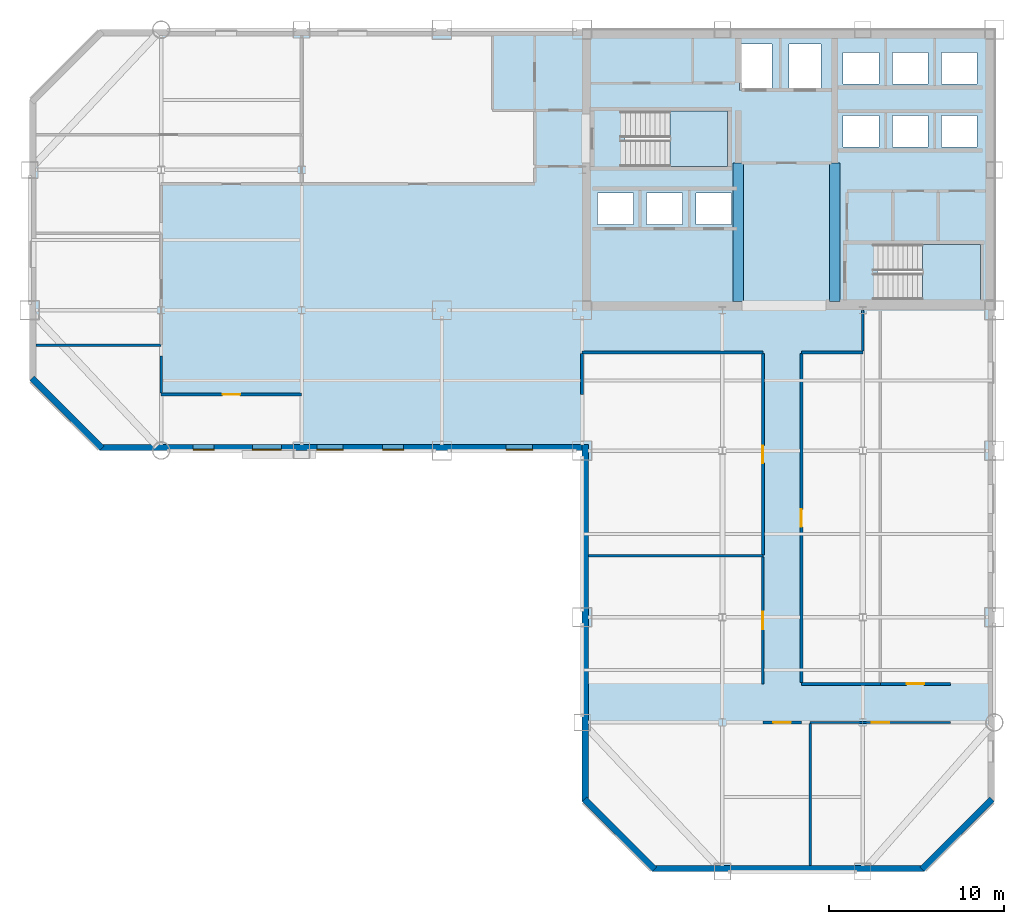
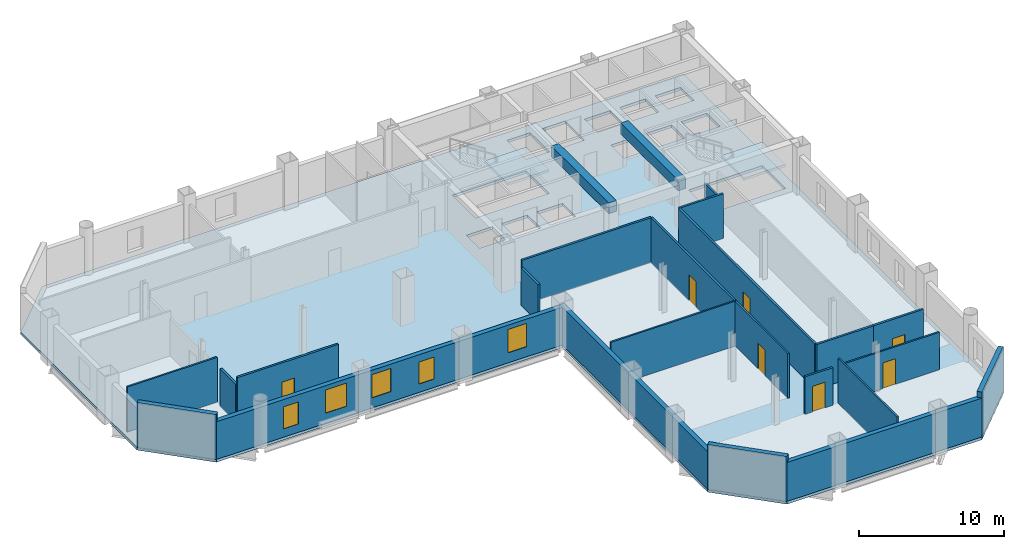
# One storey, part 5 of 10: 22 walls, 7 doors, 5 windows, 3 slabs, 2 beams, 12 openings, 2 elements without a shape of their own.
"""IFC4 building model written with IfcOpenShell, lengths in metres."""

import ifcopenshell
import ifcopenshell.guid

model = None  # the IFC model being written
_history = None  # IfcOwnerHistory: only IFC2X3 demands one
_inside = {}  # id of a spatial element -> (the spatial element, [elements in it])
_under = {}  # id of a project, library or spatial element -> (it, [spatial elements below it])
_declared = {}  # id of a project -> (the project, [libraries it declares])
_typed = {}  # id of a type object -> (the type object, [elements of that type])
_made_of = {}  # id of a material, layer set ... -> (it, [elements and type objects made of it])


def new_model(schema):
    """Start an empty IFC model of exactly this schema.

    Asked for "IFC4X3", IfcOpenShell would pick the latest addendum, in which some entities
    have other attributes; the version numbers below select the first issue.
    IFC2X3 requires an IfcOwnerHistory on every rooted entity: one is made here for all.
    """
    global model, _history
    if schema == "IFC4X3":
        model = ifcopenshell.file(schema_version=(4, 3, 0, 0))
    else:
        model = ifcopenshell.file(schema=schema)
    _inside.clear()
    _under.clear()
    _declared.clear()
    _typed.clear()
    _made_of.clear()
    _history = None
    if model.schema == "IFC2X3":
        org = make("IfcOrganization", Name="unknown")
        user = make(
            "IfcPersonAndOrganization",
            ThePerson=make("IfcPerson", FamilyName="unknown"),
            TheOrganization=org,
        )
        app = make(
            "IfcApplication",
            ApplicationDeveloper=org,
            Version="unknown",
            ApplicationFullName="unknown",
            ApplicationIdentifier="unknown",
        )
        _history = make(
            "IfcOwnerHistory",
            OwningUser=user,
            OwningApplication=app,
            ChangeAction="ADDED",
            CreationDate=0,
        )
    return model


def make(cls, **values):
    """One entity of the class cls with the attributes given. An attribute that is None is left unset."""
    return model.create_entity(
        cls, **{name: value for name, value in values.items() if value is not None}
    )


def rooted(cls, **values):
    """An entity with a GlobalId (a new one), such as an element, a storey or a relation."""
    return make(cls, GlobalId=ifcopenshell.guid.new(), OwnerHistory=_history, **values)


def si_unit(unit_type, name, prefix=None):
    """IfcSIUnit, for example si_unit("LENGTHUNIT", "METRE", prefix="MILLI")."""
    return make("IfcSIUnit", UnitType=unit_type, Prefix=prefix, Name=name)


def assignment(units):
    """IfcUnitAssignment: the units of a project."""
    return None if units is None else make("IfcUnitAssignment", Units=units)


def point(xyz):
    """IfcCartesianPoint."""
    return None if xyz is None else make("IfcCartesianPoint", Coordinates=xyz)


def direction(xyz):
    """IfcDirection."""
    return None if xyz is None else make("IfcDirection", DirectionRatios=xyz)


def frame(location, z_axis=None, x_axis=None):
    """IfcAxis2Placement3D, a coordinate frame: its origin and axes. An axis left out is left unset."""
    return make(
        "IfcAxis2Placement3D",
        Location=point(location),
        Axis=direction(z_axis),
        RefDirection=direction(x_axis),
    )


def frame_2d(location, x_axis=None):
    """IfcAxis2Placement2D, a coordinate frame in the plane: its origin and x axis."""
    return make(
        "IfcAxis2Placement2D", Location=point(location), RefDirection=direction(x_axis)
    )


def origin():
    """The frame at (0, 0, 0) with its axes left unset."""
    return frame((0.0, 0.0, 0.0))


def origin_2d():
    """The frame at (0, 0) in the plane with its x axis left unset."""
    return frame_2d((0.0, 0.0))


def place(relative_to, where):
    """IfcLocalPlacement: puts the frame where relative to a parent placement (None: the world)."""
    return make(
        "IfcLocalPlacement", PlacementRelTo=relative_to, RelativePlacement=where
    )


def context(
    kind, dimensions, precision=None, world=None, true_north=None, identifier=None
):
    """IfcGeometricRepresentationContext, for example the 3D "Model" context."""
    return make(
        "IfcGeometricRepresentationContext",
        ContextIdentifier=identifier,
        ContextType=kind,
        CoordinateSpaceDimension=dimensions,
        Precision=precision,
        WorldCoordinateSystem=world,
        TrueNorth=true_north,
    )


def subcontext(parent, identifier, kind, view, scale=None):
    """IfcGeometricRepresentationSubContext, for example "Body" below "Model"."""
    return make(
        "IfcGeometricRepresentationSubContext",
        ContextIdentifier=identifier,
        ContextType=kind,
        ParentContext=parent,
        TargetScale=scale,
        TargetView=view,
    )


def project(units=None, contexts=None):
    """IfcProject with its units and contexts."""
    return rooted(
        "IfcProject",
        Name="project",
        RepresentationContexts=contexts,
        UnitsInContext=assignment(units),
    )


def spatial(cls, under=None, at=None, **own):
    """A site, building, storey or space (cls), placed at a placement, below another one or the project."""
    s = rooted(cls, ObjectPlacement=at, **own)
    if under is not None:
        _under.setdefault(under.id(), (under, []))[1].append(s)
    return s


def polyline(points):
    """IfcPolyline through the points."""
    return make("IfcPolyline", Points=[point(p) for p in points])


def profile(cls, at=None, kind="AREA", **sizes):
    """A parametric profile (cls). Its sizes go by their IFC names, for example OverallWidth=200.0."""
    return make(cls, ProfileType=kind, Position=at, **sizes)


def rectangle(**sizes):
    """IfcRectangleProfileDef."""
    return profile("IfcRectangleProfileDef", **sizes)


def outline(outer, holes=None, kind="AREA"):
    """IfcArbitraryClosedProfileDef: a profile drawn as a closed curve; with holes, ...WithVoids."""
    if holes is None:
        return make("IfcArbitraryClosedProfileDef", ProfileType=kind, OuterCurve=outer)
    return make(
        "IfcArbitraryProfileDefWithVoids",
        ProfileType=kind,
        OuterCurve=outer,
        InnerCurves=holes,
    )


def extrude(swept, where, along, depth):
    """IfcExtrudedAreaSolid: the profile swept, set in the frame where, extruded along a direction by depth."""
    return make(
        "IfcExtrudedAreaSolid",
        SweptArea=swept,
        Position=where,
        ExtrudedDirection=direction(along),
        Depth=depth,
    )


def shape(context_of_items, identifier, shape_type, items):
    """IfcShapeRepresentation: the items that make up one representation, for example the "Body"."""
    return make(
        "IfcShapeRepresentation",
        ContextOfItems=context_of_items,
        RepresentationIdentifier=identifier,
        RepresentationType=shape_type,
        Items=items,
    )


def material(Name=None, Category=None):
    """IfcMaterial."""
    return make("IfcMaterial", Name=Name, Category=Category)


def layer(
    of_material, thickness, ventilated=None, Name=None, Category=None, Priority=None
):
    """IfcMaterialLayer: one layer of a wall or slab, of a material (None: an air gap)."""
    return make(
        "IfcMaterialLayer",
        Material=of_material,
        LayerThickness=thickness,
        IsVentilated=ventilated,
        Name=Name,
        Category=Category,
        Priority=Priority,
    )


def layer_set(layers, Name=None):
    """IfcMaterialLayerSet."""
    return make("IfcMaterialLayerSet", MaterialLayers=layers, LayerSetName=Name)


def material_profile(
    of_material, cross_section, Name=None, Category=None, Priority=None
):
    """IfcMaterialProfile: a cross section and its material."""
    return make(
        "IfcMaterialProfile",
        Name=Name,
        Material=of_material,
        Profile=cross_section,
        Priority=Priority,
        Category=Category,
    )


def profile_set(profiles, Name=None, composite=None):
    """IfcMaterialProfileSet."""
    return make(
        "IfcMaterialProfileSet",
        Name=Name,
        MaterialProfiles=profiles,
        CompositeProfile=composite,
    )


def made_of(thing, what):
    """Note that an element or type object is made of a material, layer set ...; save() writes the relation."""
    if what is not None:
        _made_of.setdefault(what.id(), (what, []))[1].append(thing)
    return thing


def type_object(cls, material=None, **own):
    """A type object (cls), such as IfcWallType, which elements share."""
    return made_of(rooted(cls, **own), material)


def element(
    cls,
    number,
    at=None,
    inside=None,
    cuts=None,
    type_object=None,
    material=None,
    context=None,
    identifier="Body",
    shape_type=None,
    held_by="IfcProductDefinitionShape",
    body=None,
    shapes=None,
    **own,
):
    """One element of the class cls, such as IfcWall. Its Tag is "e" and its number.

    at: its placement. inside: the storey or other place that contains it. cuts: it is an
    opening in that element (IfcRelVoidsElement). A single representation is given by context,
    identifier, shape_type and body (its items); several are given by shapes. held_by: the class
    of the entity that holds the representations. save() writes the other relations.
    """
    e = rooted(cls, Tag="e%d" % number, ObjectPlacement=at, **own)
    if body is not None:
        shapes = [shape(context, identifier, shape_type, body)]
    if shapes is not None:
        e.Representation = make(held_by, Representations=shapes)
    if inside is not None:
        _inside.setdefault(inside.id(), (inside, []))[1].append(e)
    if cuts is not None:
        rooted(
            "IfcRelVoidsElement", RelatingBuildingElement=cuts, RelatedOpeningElement=e
        )
    if type_object is not None:
        _typed.setdefault(type_object.id(), (type_object, []))[1].append(e)
    return made_of(e, material)


def fill(opening, filler):
    """IfcRelFillsElement: the door or window that sits in an opening."""
    return rooted(
        "IfcRelFillsElement",
        RelatingOpeningElement=opening,
        RelatedBuildingElement=filler,
    )


def aggregate(whole, parts):
    """IfcRelAggregates: a whole, such as a stair, and the parts it consists of."""
    return rooted("IfcRelAggregates", RelatingObject=whole, RelatedObjects=parts)


def save(model, path):
    """Write the relations noted so far, then the file.

    IfcRelAggregates (storeys below a building ...), IfcRelContainedInSpatialStructure (elements
    in a storey), IfcRelDefinesByType, IfcRelAssociatesMaterial and IfcRelDeclares: one each for
    every whole, place, type object, material and project.
    """
    for whole, parts in _under.values():
        aggregate(whole, parts)
    for where, things in _inside.values():
        rooted(
            "IfcRelContainedInSpatialStructure",
            RelatedElements=things,
            RelatingStructure=where,
        )
    for kind, things in _typed.values():
        rooted("IfcRelDefinesByType", RelatedObjects=things, RelatingType=kind)
    for what, things in _made_of.values():
        rooted("IfcRelAssociatesMaterial", RelatedObjects=things, RelatingMaterial=what)
    for by, libraries in _declared.values():
        rooted("IfcRelDeclares", RelatingContext=by, RelatedDefinitions=libraries)
    model.write(path)


model = new_model("IFC4")

# Units and contexts
model_context = context("Model", 3, precision=1e-05, world=origin(), true_north=direction((0.0, 1.0)))
body_context = subcontext(model_context, "Body", "Model", "MODEL_VIEW")
ifc_project = project(units=[si_unit("LENGTHUNIT", "METRE"), si_unit("AREAUNIT", "SQUARE_METRE"), si_unit("VOLUMEUNIT", "CUBIC_METRE"), si_unit("PLANEANGLEUNIT", "RADIAN"), si_unit("MASSUNIT", "GRAM", prefix="KILO")], contexts=[model_context])

# Site, building, storey
site_placement = place(None, origin())
site = spatial("IfcSite", under=ifc_project, at=site_placement, CompositionType="ELEMENT")
building_placement = place(site_placement, origin())
building = spatial("IfcBuilding", under=site, at=building_placement, Name="Qianrong Seaharbour Tower", CompositionType="ELEMENT")
storey_placement = place(building_placement, frame((0.0, 0.0, 159.0)))
storey = spatial("IfcBuildingStorey", under=building, at=storey_placement, Name="L38", CompositionType="ELEMENT", Elevation=159.0)

# Beams
ifc_material_1 = material(Name="Concrete C70/85", Category="concrete")
ifc_material_profile = material_profile(ifc_material_1, rectangle(XDim=0.60009765625, YDim=0.89990234375, at=origin_2d()), Name="RC600x900")
ifc_profile_set = profile_set([ifc_material_profile], Name="Concrete C70/85")
beam_type = type_object("IfcBeamType", Name="BM-LINTEL-900", PredefinedType="LINTEL", material=ifc_profile_set)
for number, where, z_axis, x_axis, name in (
    (1, (49.39990234375, 36.5, 3.31494140625), (0.0, 1.0, 0.0), (-1.0, 0.0, 0.0), "L38 Internal Core Coupling Beam IW1"),
    (2, (54.89990234375, 36.5, 3.31494140625), (0.0, 1.0, 0.0), (-1.0, 0.0, 0.0), "L38 Internal Core Coupling Beam IW2"),
):
    element("IfcBeam", number, at=place(storey_placement, frame(where, z_axis=z_axis, x_axis=x_axis)), inside=storey, type_object=beam_type, Name=name, PredefinedType="LINTEL", context=body_context, shape_type="SweptSolid", body=[
        extrude(rectangle(XDim=0.60009765625, YDim=0.89990234375, at=origin_2d()), origin(), (0.0, 0.0, 1.0), 7.89990234375),
    ])

# Stair, slab
ifc_material_2 = material(Name="Concrete C50/60", Category="concrete")
stair_type = type_object("IfcStairType", Name="STAIR-DOGLEG-1500-R22", PredefinedType="HALF_TURN_STAIR", material=ifc_material_2)
stair_1_placement = place(storey_placement, origin())
stair_1 = element("IfcStair", 3, at=stair_1_placement, inside=storey, type_object=stair_type, Name="L38 Protected Escape Stair ST-1", PredefinedType="HALF_TURN_STAIR")
ifc_layer_1 = layer(ifc_material_2, 0.199951171875)
ifc_layer_set_1 = layer_set([ifc_layer_1], Name="Concrete C50/60")
slab_type_1 = type_object("IfcSlabType", Name="SLAB-STAIR-LANDING-200", PredefinedType="LANDING", material=ifc_layer_set_1)
slab_1_placement = place(storey_placement, frame((0.0, 0.0, 1.800048828125)))
slab_1 = element("IfcSlab", 4, at=slab_1_placement, type_object=slab_type_1, Name="ST-1 landing 1", PredefinedType="LANDING", context=body_context, shape_type="SweptSolid", body=[
    extrude(outline(polyline([(45.5, 44.199951171875), (48.800048828125, 44.199951171875), (48.800048828125, 47.35009765625), (45.5, 47.35009765625), (45.5, 44.199951171875)])), origin(), (0.0, 0.0, 1.0), 0.199951171875),
])
aggregate(stair_1, [slab_1])

stair_2_placement = place(storey_placement, origin())
stair_2 = element("IfcStair", 5, at=stair_2_placement, inside=storey, type_object=stair_type, Name="L38 Protected Escape Stair ST-2", PredefinedType="HALF_TURN_STAIR")
slab_2_placement = place(storey_placement, frame((0.0, 0.0, 1.800048828125)))
slab_2 = element("IfcSlab", 6, at=slab_2_placement, type_object=slab_type_1, Name="ST-2 landing 1", PredefinedType="LANDING", context=body_context, shape_type="SweptSolid", body=[
    extrude(outline(polyline([(59.89990234375, 36.60009765625), (63.199951171875, 36.60009765625), (63.199951171875, 39.75), (59.89990234375, 39.75), (59.89990234375, 36.60009765625)])), origin(), (0.0, 0.0, 1.0), 0.199951171875),
])
aggregate(stair_2, [slab_2])

# Slab
ifc_layer_2 = layer(ifc_material_2, 0.235107421875)
ifc_layer_set_2 = layer_set([ifc_layer_2], Name="Concrete C50/60")
slab_type_2 = type_object("IfcSlabType", Name="SLAB-Z2-235", PredefinedType="FLOOR", material=ifc_layer_set_2)
slab_3_placement = place(storey_placement, frame((0.0, 0.0, -0.235107421875)))
element("IfcSlab", 7, at=slab_3_placement, inside=storey, type_object=slab_type_2, Name="L38 Structural Floor Slab", PredefinedType="FLOOR", context=body_context, shape_type="SweptSolid", body=[
    extrude(outline(polyline([(44.5, 4.0), (60.0, 4.0), (64.0, 8.0), (64.0, 52.0), (13.0, 52.0), (9.0, 48.0), (9.0, 32.0), (13.0, 28.0), (40.5, 28.0), (40.5, 8.0), (44.5, 4.0)]), holes=[polyline([(42.93994140625, 44.199951171875), (42.93994140625, 47.35009765625), (48.800048828125, 47.35009765625), (48.800048828125, 44.199951171875), (42.93994140625, 44.199951171875)]), polyline([(57.340087890625, 36.60009765625), (57.340087890625, 39.75), (63.199951171875, 39.75), (63.199951171875, 36.60009765625), (57.340087890625, 36.60009765625)]), polyline([(49.47998046875, 48.530029296875), (49.47998046875, 51.169921875), (51.320068359375, 51.169921875), (51.320068359375, 48.530029296875), (49.47998046875, 48.530029296875)]), polyline([(52.280029296875, 48.530029296875), (52.280029296875, 51.169921875), (54.1201171875, 51.169921875), (54.1201171875, 48.530029296875), (52.280029296875, 48.530029296875)]), polyline([(41.3798828125, 40.89990234375), (41.3798828125, 42.699951171875), (43.419921875, 42.699951171875), (43.419921875, 40.89990234375), (41.3798828125, 40.89990234375)]), polyline([(44.179931640625, 40.89990234375), (44.179931640625, 42.699951171875), (46.219970703125, 42.699951171875), (46.219970703125, 40.89990234375), (44.179931640625, 40.89990234375)]), polyline([(46.97998046875, 40.89990234375), (46.97998046875, 42.699951171875), (49.02001953125, 42.699951171875), (49.02001953125, 40.89990234375), (46.97998046875, 40.89990234375)]), polyline([(55.3798828125, 45.300048828125), (55.3798828125, 47.10009765625), (57.419921875, 47.10009765625), (57.419921875, 45.300048828125), (55.3798828125, 45.300048828125)]), polyline([(58.179931640625, 45.300048828125), (58.179931640625, 47.10009765625), (60.219970703125, 47.10009765625), (60.219970703125, 45.300048828125), (58.179931640625, 45.300048828125)]), polyline([(60.97998046875, 45.300048828125), (60.97998046875, 47.10009765625), (63.02001953125, 47.10009765625), (63.02001953125, 45.300048828125), (60.97998046875, 45.300048828125)]), polyline([(55.3798828125, 48.89990234375), (55.3798828125, 50.699951171875), (57.419921875, 50.699951171875), (57.419921875, 48.89990234375), (55.3798828125, 48.89990234375)]), polyline([(58.179931640625, 48.89990234375), (58.179931640625, 50.699951171875), (60.219970703125, 50.699951171875), (60.219970703125, 48.89990234375), (58.179931640625, 48.89990234375)]), polyline([(60.97998046875, 48.89990234375), (60.97998046875, 50.699951171875), (63.02001953125, 50.699951171875), (63.02001953125, 48.89990234375), (60.97998046875, 48.89990234375)])]), origin(), (0.0, 0.0, 1.0), 0.235107421875),
])

# Wall, opening, door
ifc_material_3 = material(Name="Fire-rated acoustic gypsum board partition")
ifc_layer_3 = layer(ifc_material_3, 0.1650390625)
ifc_layer_set_3 = layer_set([ifc_layer_3], Name="Fire-rated acoustic gypsum board partition")
wall_type_1 = type_object("IfcWallType", Name="WALL-CORR-PART-165", PredefinedType="PARTITIONING", material=ifc_layer_set_3)
wall_1_placement = place(storey_placement, frame((24.5, 31.199951171875, 0.0), z_axis=(0.0, 0.0, 1.0), x_axis=(-1.0, 0.0, 0.0)))
wall_1 = element("IfcWall", 8, at=wall_1_placement, inside=storey, type_object=wall_type_1, Name="L38 Interior Partition Wall 017", PredefinedType="PARTITIONING", context=body_context, shape_type="SweptSolid", body=[
    extrude(rectangle(XDim=8.0, YDim=0.1650390625, at=frame_2d((4.0, 0.0))), origin(), (0.0, 0.0, 1.0), 3.764892578125),
])
opening_1_placement = place(wall_1_placement, frame((3.5, 0.0, 0.0)))
opening_1 = element("IfcOpeningElement", 9, at=opening_1_placement, cuts=wall_1, Name="Opening DO-01", PredefinedType="OPENING", context=body_context, shape_type="SweptSolid", body=[
    extrude(rectangle(XDim=1.0, YDim=2.14990234375, at=frame_2d((0.5, 1.074951171875))), frame((0.0, 0.092529296875, 0.0), z_axis=(0.0, -1.0, 0.0), x_axis=(1.0, 0.0, 0.0)), (0.0, 0.0, 1.0), 0.18505859375),
])
ifc_material_4 = material(Name="Acoustic timber and galvanized steel fire door assembly", Category="steel")
door_type = type_object("IfcDoorType", Name="DOOR-OFFICE-1000x2150", OperationType="NOTDEFINED", PredefinedType="DOOR", material=ifc_material_4)
door_1_placement = place(opening_1_placement, origin())
door_1 = element("IfcDoor", 10, at=door_1_placement, inside=storey, type_object=door_type, Name="L38 Harbour Sunset Lounge 1 Door", OperationType="SINGLE_SWING_RIGHT", OverallHeight=2.14990234375, OverallWidth=1.0, PredefinedType="DOOR", context=body_context, shape_type="SweptSolid", body=[
    extrude(rectangle(XDim=1.0, YDim=2.14990234375, at=frame_2d((0.5, 1.074951171875))), frame((0.0, 0.02490234375, 0.0), z_axis=(0.0, -1.0, 0.0), x_axis=(1.0, 0.0, 0.0)), (0.0, 0.0, 1.0), 0.050048828125),
])
fill(opening_1, door_1)

# Walls
wall_2_placement = place(storey_placement, frame((16.5, 31.2744140625, 0.0), z_axis=(0.0, 0.0, 1.0), x_axis=(0.0, 1.0, 0.0)))
element("IfcWall", 11, at=wall_2_placement, inside=storey, type_object=wall_type_1, Name="L38 Interior Partition Wall 018", PredefinedType="PARTITIONING", context=body_context, shape_type="SweptSolid", body=[
    extrude(rectangle(XDim=2.12548828125, YDim=0.1650390625, at=frame_2d((1.062744140625, 0.0))), origin(), (0.0, 0.0, 1.0), 3.156982421875),
])
for number, where, z_axis, x_axis, name in (
    (12, (40.5, 33.525390625, 0.0), (0.0, 0.0, 1.0), (0.0, -1.0, 0.0), "L38 Interior Partition Wall 024"),
    (13, (56.5, 36.0, 0.0), (0.0, 0.0, 1.0), (0.0, -1.0, 0.0), "L38 Interior Partition Wall 025"),
):
    element("IfcWall", number, at=place(storey_placement, frame(where, z_axis=z_axis, x_axis=x_axis)), inside=storey, type_object=wall_type_1, Name=name, PredefinedType="PARTITIONING", context=body_context, shape_type="SweptSolid", body=[
        extrude(rectangle(XDim=2.325439453125, YDim=0.1650390625, at=frame_2d((1.16259765625, 0.0))), origin(), (0.0, 0.0, 1.0), 3.156982421875),
    ])
wall_3_placement = place(storey_placement, frame((56.5, 33.60009765625, 0.0), z_axis=(0.0, 0.0, 1.0), x_axis=(-1.0, 0.0, 0.0)))
element("IfcWall", 14, at=wall_3_placement, inside=storey, type_object=wall_type_1, Name="L38 Interior Partition Wall 026", PredefinedType="PARTITIONING", context=body_context, shape_type="SweptSolid", body=[
    extrude(rectangle(XDim=3.5, YDim=0.1650390625, at=frame_2d((1.75, 0.0))), origin(), (0.0, 0.0, 1.0), 3.764892578125),
])
wall_4_placement = place(storey_placement, frame((50.800048828125, 33.60009765625, 0.0), z_axis=(0.0, 0.0, 1.0), x_axis=(-1.0, 0.0, 0.0)))
element("IfcWall", 15, at=wall_4_placement, inside=storey, type_object=wall_type_1, Name="L38 Interior Partition Wall 027", PredefinedType="PARTITIONING", context=body_context, shape_type="SweptSolid", body=[
    extrude(rectangle(XDim=10.300048828125, YDim=0.1650390625, at=frame_2d((5.14990234375, 0.0))), origin(), (0.0, 0.0, 1.0), 3.764892578125),
])

# Wall, opening, door
wall_5_placement = place(storey_placement, frame((53.0, 33.525390625, 0.0), z_axis=(0.0, 0.0, 1.0), x_axis=(0.0, -1.0, 0.0)))
wall_5 = element("IfcWall", 16, at=wall_5_placement, inside=storey, type_object=wall_type_1, Name="L38 Interior Partition Wall 028", PredefinedType="PARTITIONING", context=body_context, shape_type="SweptSolid", body=[
    extrude(rectangle(XDim=18.7509765625, YDim=0.1650390625, at=frame_2d((9.37548828125, 0.0))), origin(), (0.0, 0.0, 1.0), 3.764892578125),
])
opening_2_placement = place(wall_5_placement, frame((8.87548828125, 0.0, 0.0)))
opening_2 = element("IfcOpeningElement", 17, at=opening_2_placement, cuts=wall_5, Name="Opening DO-01", PredefinedType="OPENING", context=body_context, shape_type="SweptSolid", body=[
    extrude(rectangle(XDim=1.0, YDim=2.14990234375, at=frame_2d((0.5, 1.074951171875))), frame((0.0, 0.092529296875, 0.0), z_axis=(0.0, -1.0, 0.0), x_axis=(1.0, 0.0, 0.0)), (0.0, 0.0, 1.0), 0.18505859375),
])
door_2_placement = place(opening_2_placement, origin())
door_2 = element("IfcDoor", 18, at=door_2_placement, inside=storey, type_object=door_type, Name="L38 East Harbour Dining Salon 1 Door", OperationType="SINGLE_SWING_RIGHT", OverallHeight=2.14990234375, OverallWidth=1.0, PredefinedType="DOOR", context=body_context, shape_type="SweptSolid", body=[
    extrude(rectangle(XDim=1.0, YDim=2.14990234375, at=frame_2d((0.5, 1.074951171875))), frame((0.0, 0.02490234375, 0.0), z_axis=(0.0, -1.0, 0.0), x_axis=(1.0, 0.0, 0.0)), (0.0, 0.0, 1.0), 0.050048828125),
])
fill(opening_2, door_2)

wall_6_placement = place(storey_placement, frame((50.800048828125, 22.056884765625, 0.0), z_axis=(0.0, 0.0, 1.0), x_axis=(0.0, 1.0, 0.0)))
wall_6 = element("IfcWall", 19, at=wall_6_placement, inside=storey, type_object=wall_type_1, Name="L38 Interior Partition Wall 030", PredefinedType="PARTITIONING", context=body_context, shape_type="SweptSolid", body=[
    extrude(rectangle(XDim=11.468505859375, YDim=0.1650390625, at=frame_2d((5.734375, 0.0))), origin(), (0.0, 0.0, 1.0), 3.764892578125),
])
opening_3_placement = place(wall_6_placement, frame((5.234375, 0.0, 0.0)))
opening_3 = element("IfcOpeningElement", 20, at=opening_3_placement, cuts=wall_6, Name="Opening DO-01", PredefinedType="OPENING", context=body_context, shape_type="SweptSolid", body=[
    extrude(rectangle(XDim=1.0, YDim=2.14990234375, at=frame_2d((0.5, 1.074951171875))), frame((0.0, 0.092529296875, 0.0), z_axis=(0.0, -1.0, 0.0), x_axis=(1.0, 0.0, 0.0)), (0.0, 0.0, 1.0), 0.18505859375),
])
door_3_placement = place(opening_3_placement, origin())
door_3 = element("IfcDoor", 21, at=door_3_placement, inside=storey, type_object=door_type, Name="L38 Concierge Office 2 Door", OperationType="SINGLE_SWING_LEFT", OverallHeight=2.14990234375, OverallWidth=1.0, PredefinedType="DOOR", context=body_context, shape_type="SweptSolid", body=[
    extrude(rectangle(XDim=1.0, YDim=2.14990234375, at=frame_2d((0.5, 1.074951171875))), frame((0.0, 0.02490234375, 0.0), z_axis=(0.0, -1.0, 0.0), x_axis=(1.0, 0.0, 0.0)), (0.0, 0.0, 1.0), 0.050048828125),
])
fill(opening_3, door_3)

wall_7_placement = place(storey_placement, frame((53.0, 12.5, 0.0), z_axis=(0.0, 0.0, 1.0), x_axis=(-1.0, 0.0, 0.0)))
wall_7 = element("IfcWall", 22, at=wall_7_placement, inside=storey, type_object=wall_type_1, Name="L38 Interior Partition Wall 031", PredefinedType="PARTITIONING", context=body_context, shape_type="SweptSolid", body=[
    extrude(rectangle(XDim=2.199951171875, YDim=0.1650390625, at=frame_2d((1.10009765625, 0.0))), origin(), (0.0, 0.0, 1.0), 3.156982421875),
])
opening_4_placement = place(wall_7_placement, frame((0.60009765625, 0.0, 0.0)))
opening_4 = element("IfcOpeningElement", 23, at=opening_4_placement, cuts=wall_7, Name="Opening DO-01", PredefinedType="OPENING", context=body_context, shape_type="SweptSolid", body=[
    extrude(rectangle(XDim=1.0, YDim=2.14990234375, at=frame_2d((0.5, 1.074951171875))), frame((0.0, 0.092529296875, 0.0), z_axis=(0.0, -1.0, 0.0), x_axis=(1.0, 0.0, 0.0)), (0.0, 0.0, 1.0), 0.18505859375),
])
door_4_placement = place(opening_4_placement, origin())
door_4 = element("IfcDoor", 24, at=door_4_placement, inside=storey, type_object=door_type, Name="L38 South View Lounge 1 Door", OperationType="SINGLE_SWING_RIGHT", OverallHeight=2.14990234375, OverallWidth=1.0, PredefinedType="DOOR", context=body_context, shape_type="SweptSolid", body=[
    extrude(rectangle(XDim=1.0, YDim=2.14990234375, at=frame_2d((0.5, 1.074951171875))), frame((0.0, 0.02490234375, 0.0), z_axis=(0.0, -1.0, 0.0), x_axis=(1.0, 0.0, 0.0)), (0.0, 0.0, 1.0), 0.050048828125),
])
fill(opening_4, door_4)

# Wall
wall_8_placement = place(storey_placement, frame((53.0, 14.699951171875, 0.0), z_axis=(0.0, 0.0, 1.0), x_axis=(1.0, 0.0, 0.0)))
element("IfcWall", 25, at=wall_8_placement, inside=storey, type_object=wall_type_1, Name="L38 Interior Partition Wall 032", PredefinedType="PARTITIONING", context=body_context, shape_type="SweptSolid", body=[
    extrude(rectangle(XDim=4.5, YDim=0.1650390625, at=frame_2d((2.25, 0.0))), origin(), (0.0, 0.0, 1.0), 3.764892578125),
])

# Wall, opening, door
wall_9_placement = place(storey_placement, frame((57.5, 14.699951171875, 0.0), z_axis=(0.0, 0.0, 1.0), x_axis=(1.0, 0.0, 0.0)))
wall_9 = element("IfcWall", 26, at=wall_9_placement, inside=storey, type_object=wall_type_1, Name="L38 Interior Partition Wall 033", PredefinedType="PARTITIONING", context=body_context, shape_type="SweptSolid", body=[
    extrude(rectangle(XDim=4.0, YDim=0.1650390625, at=frame_2d((2.0, 0.0))), origin(), (0.0, 0.0, 1.0), 3.764892578125),
])
opening_5_placement = place(wall_9_placement, frame((1.5, 0.0, 0.0)))
opening_5 = element("IfcOpeningElement", 27, at=opening_5_placement, cuts=wall_9, Name="Opening DO-01", PredefinedType="OPENING", context=body_context, shape_type="SweptSolid", body=[
    extrude(rectangle(XDim=1.0, YDim=2.14990234375, at=frame_2d((0.5, 1.074951171875))), frame((0.0, 0.092529296875, 0.0), z_axis=(0.0, -1.0, 0.0), x_axis=(1.0, 0.0, 0.0)), (0.0, 0.0, 1.0), 0.18505859375),
])
door_5_placement = place(opening_5_placement, origin())
door_5 = element("IfcDoor", 28, at=door_5_placement, inside=storey, type_object=door_type, Name="L38 Catering Servery Kitchen 2 Door", OperationType="SINGLE_SWING_LEFT", OverallHeight=2.14990234375, OverallWidth=1.0, PredefinedType="DOOR", context=body_context, shape_type="SweptSolid", body=[
    extrude(rectangle(XDim=1.0, YDim=2.14990234375, at=frame_2d((0.5, 1.074951171875))), frame((0.0, 0.02490234375, 0.0), z_axis=(0.0, -1.0, 0.0), x_axis=(1.0, 0.0, 0.0)), (0.0, 0.0, 1.0), 0.050048828125),
])
fill(opening_5, door_5)

# Wall
ifc_material_5 = material(Name="Unitised red brick on Precast concrete C45/55", Category="masonry")
ifc_layer_4 = layer(ifc_material_5, 0.360107421875)
ifc_layer_set_4 = layer_set([ifc_layer_4], Name="Unitised red brick on Precast concrete C45/55")
wall_type_2 = type_object("IfcWallType", Name="WALL-EXT-BRICK-RED-360", PredefinedType="SOLIDWALL", material=ifc_layer_set_4)
wall_10_placement = place(storey_placement, frame((40.679931640625, 8.0, 0.0), z_axis=(0.0, 0.0, 1.0), x_axis=(0.0, 1.0, 0.0)))
element("IfcWall", 29, at=wall_10_placement, inside=storey, type_object=wall_type_2, Name="L38 Exterior Masonry Facade Wall REENTRANT_WEST", PredefinedType="SOLIDWALL", context=body_context, shape_type="SweptSolid", body=[
    extrude(rectangle(XDim=20.360107421875, YDim=0.360107421875, at=frame_2d((10.18017578125, 0.0))), origin(), (0.0, 0.0, 1.0), 3.1650390625),
])

# Wall, openings, windows
wall_11_placement = place(storey_placement, frame((40.52001953125, 28.179931640625, 0.0), z_axis=(0.0, 0.0, 1.0), x_axis=(-1.0, 0.0, 0.0)))
wall_11 = element("IfcWall", 30, at=wall_11_placement, inside=storey, type_object=wall_type_2, Name="L38 Exterior Masonry Facade Wall HARBOUR_RIBBON", PredefinedType="SOLIDWALL", context=body_context, shape_type="SweptSolid", body=[
    extrude(rectangle(XDim=27.52001953125, YDim=0.360107421875, at=frame_2d((13.760009765625, 0.0))), origin(), (0.0, 0.0, 1.0), 3.1650390625),
])
opening_6_placement = place(wall_11_placement, frame((2.85009765625, 0.0, 0.85009765625)))
opening_6 = element("IfcOpeningElement", 31, at=opening_6_placement, cuts=wall_11, Name="Opening WN-03", PredefinedType="OPENING", context=body_context, shape_type="SweptSolid", body=[
    extrude(rectangle(XDim=1.5, YDim=1.949951171875, at=frame_2d((0.75, 0.97509765625))), frame((0.0, 0.18994140625, 0.0), z_axis=(0.0, -1.0, 0.0), x_axis=(1.0, 0.0, 0.0)), (0.0, 0.0, 1.0), 0.380126953125),
])
opening_7_placement = place(wall_11_placement, frame((10.199951171875, 0.0, 0.699951171875)))
opening_7 = element("IfcOpeningElement", 32, at=opening_7_placement, cuts=wall_11, Name="Opening WN-01", PredefinedType="OPENING", context=body_context, shape_type="SweptSolid", body=[
    extrude(rectangle(XDim=1.199951171875, YDim=1.85009765625, at=frame_2d((0.60009765625, 0.925048828125))), frame((0.0, 0.18994140625, 0.0), z_axis=(0.0, -1.0, 0.0), x_axis=(1.0, 0.0, 0.0)), (0.0, 0.0, 1.0), 0.380126953125),
])
opening_8_placement = place(wall_11_placement, frame((13.64990234375, 0.0, 0.85009765625)))
opening_8 = element("IfcOpeningElement", 33, at=opening_8_placement, cuts=wall_11, Name="Opening WN-03", PredefinedType="OPENING", context=body_context, shape_type="SweptSolid", body=[
    extrude(rectangle(XDim=1.5, YDim=1.949951171875, at=frame_2d((0.75, 0.97509765625))), frame((0.0, 0.18994140625, 0.0), z_axis=(0.0, -1.0, 0.0), x_axis=(1.0, 0.0, 0.0)), (0.0, 0.0, 1.0), 0.380126953125),
])
opening_9_placement = place(wall_11_placement, frame((17.175048828125, 0.0, 0.85009765625)))
opening_9 = element("IfcOpeningElement", 34, at=opening_9_placement, cuts=wall_11, Name="Opening WN-04", PredefinedType="OPENING", context=body_context, shape_type="SweptSolid", body=[
    extrude(rectangle(XDim=1.64990234375, YDim=1.949951171875, at=frame_2d((0.824951171875, 0.97509765625))), frame((0.0, 0.18994140625, 0.0), z_axis=(0.0, -1.0, 0.0), x_axis=(1.0, 0.0, 0.0)), (0.0, 0.0, 1.0), 0.380126953125),
])
opening_10_placement = place(wall_11_placement, frame((21.0, 0.0, 0.699951171875)))
opening_10 = element("IfcOpeningElement", 35, at=opening_10_placement, cuts=wall_11, Name="Opening WN-01", PredefinedType="OPENING", context=body_context, shape_type="SweptSolid", body=[
    extrude(rectangle(XDim=1.199951171875, YDim=1.85009765625, at=frame_2d((0.60009765625, 0.925048828125))), frame((0.0, 0.18994140625, 0.0), z_axis=(0.0, -1.0, 0.0), x_axis=(1.0, 0.0, 0.0)), (0.0, 0.0, 1.0), 0.380126953125),
])
ifc_material_6 = material(Name="Insulated low-e double glazing in thermally broken aluminium 6063-T6 frame", Category="aluminium")
window_type_1 = type_object("IfcWindowType", Name="WIN-PUNCH-1200x1850", PartitioningType="DOUBLE_PANEL_VERTICAL", PredefinedType="WINDOW", material=ifc_material_6)
window_1_placement = place(opening_7_placement, origin())
window_1 = element("IfcWindow", 36, at=window_1_placement, inside=storey, type_object=window_type_1, Name="L38 Deep-Set Punched Window 01.03", OverallHeight=1.85009765625, OverallWidth=1.199951171875, PartitioningType="DOUBLE_PANEL_VERTICAL", PredefinedType="WINDOW", context=body_context, shape_type="SweptSolid", body=[
    extrude(rectangle(XDim=1.199951171875, YDim=1.85009765625, at=frame_2d((0.60009765625, 0.925048828125))), frame((0.0, 0.150146484375, 0.0), z_axis=(0.0, -1.0, 0.0), x_axis=(1.0, 0.0, 0.0)), (0.0, 0.0, 1.0), 0.06005859375),
])
fill(opening_7, window_1)
window_2_placement = place(opening_10_placement, origin())
window_2 = element("IfcWindow", 37, at=window_2_placement, inside=storey, type_object=window_type_1, Name="L38 Deep-Set Punched Window 01.06", OverallHeight=1.85009765625, OverallWidth=1.199951171875, PartitioningType="DOUBLE_PANEL_VERTICAL", PredefinedType="WINDOW", context=body_context, shape_type="SweptSolid", body=[
    extrude(rectangle(XDim=1.199951171875, YDim=1.85009765625, at=frame_2d((0.60009765625, 0.925048828125))), frame((0.0, 0.150146484375, 0.0), z_axis=(0.0, -1.0, 0.0), x_axis=(1.0, 0.0, 0.0)), (0.0, 0.0, 1.0), 0.06005859375),
])
fill(opening_10, window_2)
window_type_2 = type_object("IfcWindowType", Name="WIN-PUNCH-1500x1950", PartitioningType="DOUBLE_PANEL_VERTICAL", PredefinedType="WINDOW", material=ifc_material_6)
window_3_placement = place(opening_6_placement, origin())
window_3 = element("IfcWindow", 38, at=window_3_placement, inside=storey, type_object=window_type_2, Name="L38 Deep-Set Punched Window 01.01", OverallHeight=1.949951171875, OverallWidth=1.5, PartitioningType="DOUBLE_PANEL_VERTICAL", PredefinedType="WINDOW", context=body_context, shape_type="SweptSolid", body=[
    extrude(rectangle(XDim=1.5, YDim=1.949951171875, at=frame_2d((0.75, 0.97509765625))), frame((0.0, 0.150146484375, 0.0), z_axis=(0.0, -1.0, 0.0), x_axis=(1.0, 0.0, 0.0)), (0.0, 0.0, 1.0), 0.06005859375),
])
fill(opening_6, window_3)
window_4_placement = place(opening_8_placement, origin())
window_4 = element("IfcWindow", 39, at=window_4_placement, inside=storey, type_object=window_type_2, Name="L38 Deep-Set Punched Window 01.04", OverallHeight=1.949951171875, OverallWidth=1.5, PartitioningType="DOUBLE_PANEL_VERTICAL", PredefinedType="WINDOW", context=body_context, shape_type="SweptSolid", body=[
    extrude(rectangle(XDim=1.5, YDim=1.949951171875, at=frame_2d((0.75, 0.97509765625))), frame((0.0, 0.150146484375, 0.0), z_axis=(0.0, -1.0, 0.0), x_axis=(1.0, 0.0, 0.0)), (0.0, 0.0, 1.0), 0.06005859375),
])
fill(opening_8, window_4)
window_type_3 = type_object("IfcWindowType", Name="WIN-PUNCH-1650x1950", PartitioningType="DOUBLE_PANEL_VERTICAL", PredefinedType="WINDOW", material=ifc_material_6)
window_5_placement = place(opening_9_placement, origin())
window_5 = element("IfcWindow", 40, at=window_5_placement, inside=storey, type_object=window_type_3, Name="L38 Deep-Set Punched Window 01.05", OverallHeight=1.949951171875, OverallWidth=1.64990234375, PartitioningType="DOUBLE_PANEL_VERTICAL", PredefinedType="WINDOW", context=body_context, shape_type="SweptSolid", body=[
    extrude(rectangle(XDim=1.64990234375, YDim=1.949951171875, at=frame_2d((0.824951171875, 0.97509765625))), frame((0.0, 0.150146484375, 0.0), z_axis=(0.0, -1.0, 0.0), x_axis=(1.0, 0.0, 0.0)), (0.0, 0.0, 1.0), 0.06005859375),
])
fill(opening_9, window_5)

# Walls
for number, where, z_axis, x_axis, name in (
    (41, (13.127197265625, 28.127197265625, 0.0), (0.0, 0.0, 1.0), (-0.707106781187, 0.707106781187, 0.0), "L38 Exterior Masonry Facade Wall E02"),
    (42, (63.872802734375, 8.127197265625, 0.0), (0.0, 0.0, 1.0), (-0.707106781187, -0.707106781187, 0.0), "L38 Exterior Masonry Facade Wall E07"),
):
    element("IfcWall", number, at=place(storey_placement, frame(where, z_axis=z_axis, x_axis=x_axis)), inside=storey, type_object=wall_type_2, Name=name, PredefinedType="SOLIDWALL", context=body_context, shape_type="SweptSolid", body=[
        extrude(rectangle(XDim=5.65673828125, YDim=0.360107421875, at=frame_2d((2.828369140625, 0.0))), origin(), (0.0, 0.0, 1.0), 3.764892578125),
    ])
wall_12_placement = place(storey_placement, frame((60.0, 4.179931640625, 0.0), z_axis=(0.0, 0.0, 1.0), x_axis=(-1.0, 0.0, 0.0)))
element("IfcWall", 43, at=wall_12_placement, inside=storey, type_object=wall_type_2, Name="L38 Exterior Masonry Facade Wall SOUTH_TIP", PredefinedType="SOLIDWALL", context=body_context, shape_type="SweptSolid", body=[
    extrude(rectangle(XDim=15.5, YDim=0.360107421875, at=frame_2d((7.75, 0.0))), origin(), (0.0, 0.0, 1.0), 3.264892578125),
])
wall_13_placement = place(storey_placement, frame((44.627197265625, 4.127197265625, 0.0), z_axis=(0.0, 0.0, 1.0), x_axis=(-0.707106781187, 0.707106781187, 0.0)))
element("IfcWall", 44, at=wall_13_placement, inside=storey, type_object=wall_type_2, Name="L38 Exterior Masonry Facade Wall E09", PredefinedType="SOLIDWALL", context=body_context, shape_type="SweptSolid", body=[
    extrude(rectangle(XDim=5.65673828125, YDim=0.360107421875, at=frame_2d((2.828369140625, 0.0))), origin(), (0.0, 0.0, 1.0), 3.764892578125),
])

# Wall, opening, door
ifc_material_7 = material(Name="Water-resistant cement board sanitary partition")
ifc_layer_5 = layer(ifc_material_7, 0.1298828125)
ifc_layer_set_5 = layer_set([ifc_layer_5], Name="Water-resistant cement board sanitary partition")
wall_type_3 = type_object("IfcWallType", Name="WALL-WET-PART-130", PredefinedType="PARTITIONING", material=ifc_layer_set_5)
wall_14_placement = place(storey_placement, frame((50.800048828125, 14.699951171875, 0.0), z_axis=(0.0, 0.0, 1.0), x_axis=(0.0, 1.0, 0.0)))
wall_14 = element("IfcWall", 45, at=wall_14_placement, inside=storey, type_object=wall_type_3, Name="L38 Interior Partition Wall 029", PredefinedType="PARTITIONING", context=body_context, shape_type="SweptSolid", body=[
    extrude(rectangle(XDim=7.2431640625, YDim=0.1298828125, at=frame_2d((3.62158203125, 0.0))), origin(), (0.0, 0.0, 1.0), 3.764892578125),
])
opening_11_placement = place(wall_14_placement, frame((3.12158203125, 0.0, 0.0)))
opening_11 = element("IfcOpeningElement", 46, at=opening_11_placement, cuts=wall_14, Name="Opening DO-01", PredefinedType="OPENING", context=body_context, shape_type="SweptSolid", body=[
    extrude(rectangle(XDim=1.0, YDim=2.14990234375, at=frame_2d((0.5, 1.074951171875))), frame((0.0, 0.074951171875, 0.0), z_axis=(0.0, -1.0, 0.0), x_axis=(1.0, 0.0, 0.0)), (0.0, 0.0, 1.0), 0.14990234375),
])
door_6_placement = place(opening_11_placement, origin())
door_6 = element("IfcDoor", 47, at=door_6_placement, inside=storey, type_object=door_type, Name="L38 Wet Pantry 1 Door", OperationType="SINGLE_SWING_RIGHT", OverallHeight=2.14990234375, OverallWidth=1.0, PredefinedType="DOOR", context=body_context, shape_type="SweptSolid", body=[
    extrude(rectangle(XDim=1.0, YDim=2.14990234375, at=frame_2d((0.5, 1.074951171875))), frame((0.0, 0.02490234375, 0.0), z_axis=(0.0, -1.0, 0.0), x_axis=(1.0, 0.0, 0.0)), (0.0, 0.0, 1.0), 0.050048828125),
])
fill(opening_11, door_6)

wall_15_placement = place(storey_placement, frame((61.5, 12.5, 0.0), z_axis=(0.0, 0.0, 1.0), x_axis=(-1.0, 0.0, 0.0)))
wall_15 = element("IfcWall", 48, at=wall_15_placement, inside=storey, type_object=wall_type_3, Name="L38 Interior Partition Wall 034", PredefinedType="PARTITIONING", context=body_context, shape_type="SweptSolid", body=[
    extrude(rectangle(XDim=8.0, YDim=0.1298828125, at=frame_2d((4.0, 0.0))), origin(), (0.0, 0.0, 1.0), 3.156982421875),
])
opening_12_placement = place(wall_15_placement, frame((3.5, 0.0, 0.0)))
opening_12 = element("IfcOpeningElement", 49, at=opening_12_placement, cuts=wall_15, Name="Opening DO-01", PredefinedType="OPENING", context=body_context, shape_type="SweptSolid", body=[
    extrude(rectangle(XDim=1.0, YDim=2.14990234375, at=frame_2d((0.5, 1.074951171875))), frame((0.0, 0.074951171875, 0.0), z_axis=(0.0, -1.0, 0.0), x_axis=(1.0, 0.0, 0.0)), (0.0, 0.0, 1.0), 0.14990234375),
])
door_7_placement = place(opening_12_placement, origin())
door_7 = element("IfcDoor", 50, at=door_7_placement, inside=storey, type_object=door_type, Name="L38 Tea Servery Pantry 2 Door", OperationType="SINGLE_SWING_LEFT", OverallHeight=2.14990234375, OverallWidth=1.0, PredefinedType="DOOR", context=body_context, shape_type="SweptSolid", body=[
    extrude(rectangle(XDim=1.0, YDim=2.14990234375, at=frame_2d((0.5, 1.074951171875))), frame((0.0, 0.02490234375, 0.0), z_axis=(0.0, -1.0, 0.0), x_axis=(1.0, 0.0, 0.0)), (0.0, 0.0, 1.0), 0.050048828125),
])
fill(opening_12, door_7)

# Walls
wall_16_placement = place(storey_placement, frame((9.35205078125, 34.0, 0.0), z_axis=(0.0, 0.0, 1.0), x_axis=(1.0, 0.0, 0.0)))
element("IfcWall", 51, at=wall_16_placement, inside=storey, type_object=wall_type_3, Name="L38 Interior Partition Wall 037", PredefinedType="PARTITIONING", context=body_context, shape_type="SweptSolid", body=[
    extrude(rectangle(XDim=7.14794921875, YDim=0.1298828125, at=frame_2d((3.573974609375, 0.0))), origin(), (0.0, 0.0, 1.0), 3.764892578125),
])
wall_17_placement = place(storey_placement, frame((40.85205078125, 22.0, 0.0), z_axis=(0.0, 0.0, 1.0), x_axis=(1.0, 0.0, 0.0)))
element("IfcWall", 52, at=wall_17_placement, inside=storey, type_object=wall_type_3, Name="L38 Interior Partition Wall 041", PredefinedType="PARTITIONING", context=body_context, shape_type="SweptSolid", body=[
    extrude(rectangle(XDim=9.947998046875, YDim=0.1298828125, at=frame_2d((4.97412109375, 0.0))), origin(), (0.0, 0.0, 1.0), 3.764892578125),
])
wall_18_placement = place(storey_placement, frame((53.5, 12.443115234375, 0.0), z_axis=(0.0, 0.0, 1.0), x_axis=(0.0, -1.0, 0.0)))
element("IfcWall", 53, at=wall_18_placement, inside=storey, type_object=wall_type_3, Name="L38 Interior Partition Wall 042", PredefinedType="PARTITIONING", context=body_context, shape_type="SweptSolid", body=[
    extrude(rectangle(XDim=8.091064453125, YDim=0.1298828125, at=frame_2d((4.04541015625, 0.0))), origin(), (0.0, 0.0, 1.0), 3.764892578125),
])

save(model, "model.ifc")
